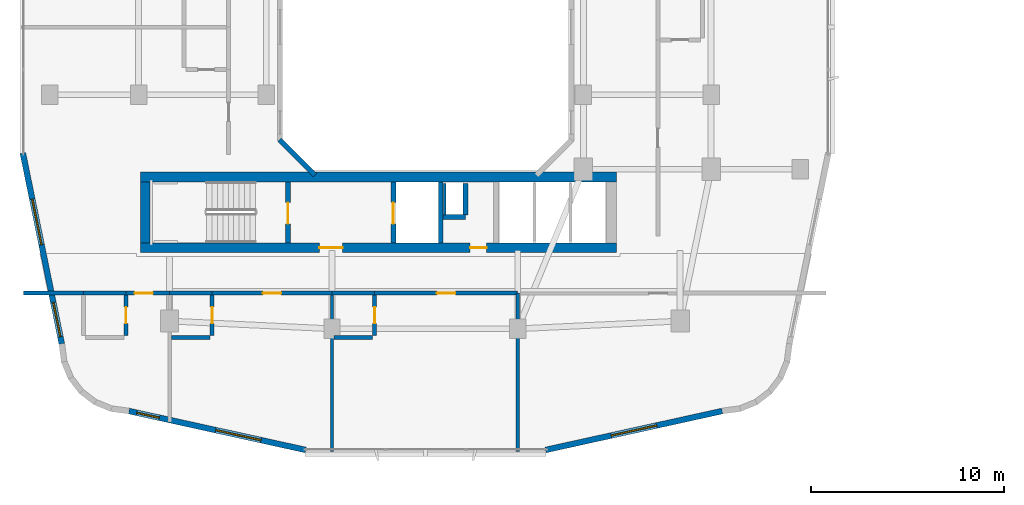
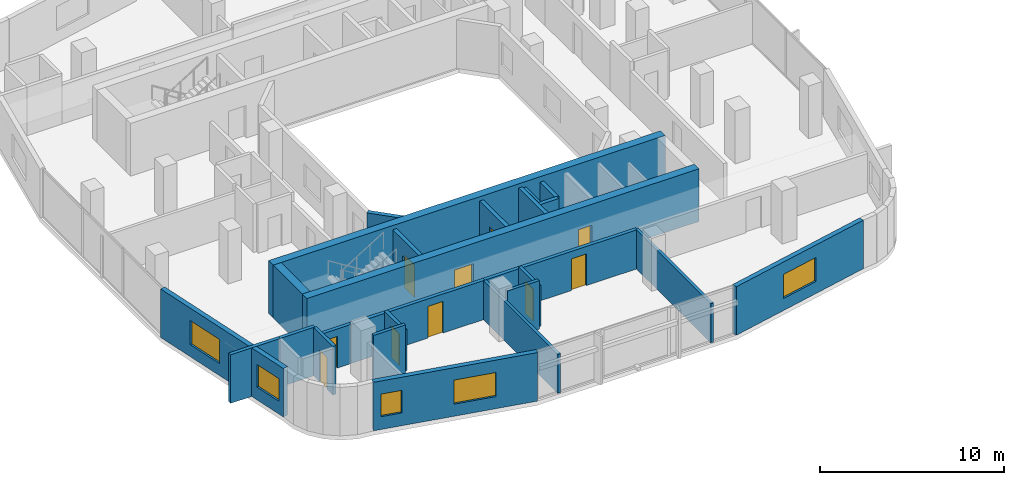
# One storey, part 12 of 25: 27 walls, 10 doors, 5 windows, 15 openings.
"""IFC4 building model written with IfcOpenShell, lengths in metres."""

from ifc_helpers import new_model, si_unit, derived_unit, direction, frame, frame_2d, origin, place, context, subcontext, project, spatial, rectangle, extrude, material, layer, layer_set, type_object, element, fill, save


model = new_model("IFC4")

# Units and contexts
model_context = context("Model", 3, precision=1e-05, world=origin(), true_north=direction((0.0, 1.0)))
body_context = subcontext(model_context, "Body", "Model", "MODEL_VIEW")
ifc_project = project(units=[si_unit("LENGTHUNIT", "METRE"), si_unit("AREAUNIT", "SQUARE_METRE"), si_unit("VOLUMEUNIT", "CUBIC_METRE"), si_unit("PLANEANGLEUNIT", "RADIAN"), si_unit("MASSUNIT", "GRAM", prefix="KILO"), derived_unit("THERMALTRANSMITTANCEUNIT", [(si_unit("POWERUNIT", "WATT"), 1), (si_unit("LENGTHUNIT", "METRE"), -2), (si_unit("THERMODYNAMICTEMPERATUREUNIT", "KELVIN"), -1)])], contexts=[model_context])

# Site, building, storey
site_placement = place(None, origin())
site = spatial("IfcSite", under=ifc_project, at=site_placement, CompositionType="ELEMENT")
building_placement = place(site_placement, origin())
building = spatial("IfcBuilding", under=site, at=building_placement, Name="Kivonza Crest Hotel", CompositionType="ELEMENT")
storey_placement = place(building_placement, frame((0.0, 0.0, 83.5)))
storey = spatial("IfcBuildingStorey", under=building, at=storey_placement, Name="L22", CompositionType="ELEMENT", Elevation=83.5)

# Walls
ifc_material_1 = material(Name="High-density acoustic masonry inter-tenancy wall", Category="masonry")
ifc_layer_1 = layer(ifc_material_1, 0.179931640625)
ifc_layer_set_1 = layer_set([ifc_layer_1], Name="High-density acoustic masonry inter-tenancy wall")
wall_type_1 = type_object("IfcWallType", Name="WL-ACOU-180", PredefinedType="SOLIDWALL", material=ifc_layer_set_1)
for number, where, z_axis, x_axis, name in (
    (1, (16.199951171875, 3.06005859375, 0.0), (0.0, 0.0, 1.0), (0.0, 1.0, 0.0), "L22 interior partition WA-L22-T1S-DIV2"),
    (2, (25.800048828125, 3.06005859375, 0.0), (0.0, 0.0, 1.0), (0.0, 1.0, 0.0), "L22 interior partition WA-L22-T1S-DIV3"),
):
    element("IfcWall", number, at=place(storey_placement, frame(where, z_axis=z_axis, x_axis=x_axis)), inside=storey, type_object=wall_type_1, Name=name, PredefinedType="SOLIDWALL", context=body_context, shape_type="SweptSolid", body=[
        extrude(rectangle(XDim=8.18994140625, YDim=0.179931640625, at=frame_2d((4.094970703125, 0.0))), origin(), (0.0, 0.0, 1.0), 2.594970703125),
    ])
ifc_material_2 = material(Name="Autoclaved aerated concrete blockwork", Category="masonry")
ifc_layer_2 = layer(ifc_material_2, 0.219970703125)
ifc_layer_set_2 = layer_set([ifc_layer_2], Name="Autoclaved aerated concrete blockwork")
wall_type_2 = type_object("IfcWallType", Name="WL-ACOU-220", PredefinedType="SOLIDWALL", material=ifc_layer_set_2)
wall_1_placement = place(storey_placement, frame((0.239990234375, 11.25, 0.0), z_axis=(0.0, 0.0, 1.0), x_axis=(1.0, 0.0, 0.0)))
element("IfcWall", 3, at=wall_1_placement, inside=storey, type_object=wall_type_2, Name="L22 interior partition WA-L22-S03-XCORR", PredefinedType="SOLIDWALL", context=body_context, shape_type="SweptSolid", body=[
    extrude(rectangle(XDim=3.110107421875, YDim=0.219970703125, at=frame_2d((1.55517578125, 0.0))), origin(), (0.0, 0.0, 1.0), 3.219970703125),
])
wall_2_placement = place(storey_placement, frame((3.35009765625, 11.25, 0.0), z_axis=(0.0, 0.0, 1.0), x_axis=(1.0, 0.0, 0.0)))
element("IfcWall", 4, at=wall_2_placement, inside=storey, type_object=wall_type_2, Name="L22 interior partition WA-L22-S03-BCORR", PredefinedType="SOLIDWALL", context=body_context, shape_type="SweptSolid", body=[
    extrude(rectangle(XDim=2.199951171875, YDim=0.219970703125, at=frame_2d((1.10009765625, 0.0))), origin(), (0.0, 0.0, 1.0), 3.219970703125),
])

# Wall, opening, door
wall_3_placement = place(storey_placement, frame((5.550048828125, 11.25, 0.0), z_axis=(0.0, 0.0, 1.0), x_axis=(1.0, 0.0, 0.0)))
wall_3 = element("IfcWall", 5, at=wall_3_placement, inside=storey, type_object=wall_type_2, Name="L22 interior partition WA-L22-S03-MCORR", PredefinedType="SOLIDWALL", context=body_context, shape_type="SweptSolid", body=[
    extrude(rectangle(XDim=2.25, YDim=0.219970703125, at=frame_2d((1.125, 0.0))), origin(), (0.0, 0.0, 1.0), 2.594970703125),
])
opening_1_placement = place(wall_3_placement, frame((0.43994140625, 0.0, 0.0)))
opening_1 = element("IfcOpeningElement", 6, at=opening_1_placement, cuts=wall_3, Name="Opening DU-60", PredefinedType="OPENING", context=body_context, shape_type="SweptSolid", body=[
    extrude(rectangle(XDim=0.949951171875, YDim=2.10009765625, at=frame_2d((0.47509765625, 1.050048828125))), frame((0.0, 0.1201171875, 0.0), z_axis=(0.0, -1.0, 0.0), x_axis=(1.0, 0.0, 0.0)), (0.0, 0.0, 1.0), 0.239990234375),
])
ifc_material_3 = material(Name="Hardwood timber oak", Category="wood")
door_type_1 = type_object("IfcDoorType", Name="DR-UNIT-950", OperationType="NOTDEFINED", PredefinedType="DOOR", material=ifc_material_3)
door_1_placement = place(opening_1_placement, frame((0.949951171875, 0.0, 0.0), z_axis=(0.0, 0.0, 1.0), x_axis=(-1.0, 0.0, 0.0)))
door_1 = element("IfcDoor", 7, at=door_1_placement, inside=storey, type_object=door_type_1, Name="L22 S03 guest unit entrance fire door", OperationType="SINGLE_SWING_LEFT", OverallHeight=2.10009765625, OverallWidth=0.949951171875, PredefinedType="DOOR", context=body_context, shape_type="SweptSolid", body=[
    extrude(rectangle(XDim=0.949951171875, YDim=2.10009765625, at=frame_2d((0.47509765625, 1.050048828125))), frame((0.0, 0.02490234375, 0.0), z_axis=(0.0, -1.0, 0.0), x_axis=(1.0, 0.0, 0.0)), (0.0, 0.0, 1.0), 0.050048828125),
])
fill(opening_1, door_1)

# Wall
wall_4_placement = place(storey_placement, frame((7.800048828125, 11.25, 0.0), z_axis=(0.0, 0.0, 1.0), x_axis=(1.0, 0.0, 0.0)))
element("IfcWall", 8, at=wall_4_placement, inside=storey, type_object=wall_type_2, Name="L22 interior partition WA-L22-S04-BCORR", PredefinedType="SOLIDWALL", context=body_context, shape_type="SweptSolid", body=[
    extrude(rectangle(XDim=2.199951171875, YDim=0.219970703125, at=frame_2d((1.10009765625, 0.0))), origin(), (0.0, 0.0, 1.0), 2.594970703125),
])

# Wall, opening, door
wall_5_placement = place(storey_placement, frame((10.0, 11.25, 0.0), z_axis=(0.0, 0.0, 1.0), x_axis=(1.0, 0.0, 0.0)))
wall_5 = element("IfcWall", 9, at=wall_5_placement, inside=storey, type_object=wall_type_2, Name="L22 interior partition WA-L22-S04-MCORR", PredefinedType="SOLIDWALL", context=body_context, shape_type="SweptSolid", body=[
    extrude(rectangle(XDim=6.199951171875, YDim=0.219970703125, at=frame_2d((3.10009765625, 0.0))), origin(), (0.0, 0.0, 1.0), 2.594970703125),
])
opening_2_placement = place(wall_5_placement, frame((2.625, 0.0, 0.0)))
opening_2 = element("IfcOpeningElement", 10, at=opening_2_placement, cuts=wall_5, Name="Opening DU-60", PredefinedType="OPENING", context=body_context, shape_type="SweptSolid", body=[
    extrude(rectangle(XDim=0.949951171875, YDim=2.10009765625, at=frame_2d((0.47509765625, 1.050048828125))), frame((0.0, 0.1201171875, 0.0), z_axis=(0.0, -1.0, 0.0), x_axis=(1.0, 0.0, 0.0)), (0.0, 0.0, 1.0), 0.239990234375),
])
door_2_placement = place(opening_2_placement, frame((0.949951171875, 0.0, 0.0), z_axis=(0.0, 0.0, 1.0), x_axis=(-1.0, 0.0, 0.0)))
door_2 = element("IfcDoor", 11, at=door_2_placement, inside=storey, type_object=door_type_1, Name="L22 S04 guest unit entrance fire door", OperationType="SINGLE_SWING_RIGHT", OverallHeight=2.10009765625, OverallWidth=0.949951171875, PredefinedType="DOOR", context=body_context, shape_type="SweptSolid", body=[
    extrude(rectangle(XDim=0.949951171875, YDim=2.10009765625, at=frame_2d((0.47509765625, 1.050048828125))), frame((0.0, 0.02490234375, 0.0), z_axis=(0.0, -1.0, 0.0), x_axis=(1.0, 0.0, 0.0)), (0.0, 0.0, 1.0), 0.050048828125),
])
fill(opening_2, door_2)

# Wall
wall_6_placement = place(storey_placement, frame((16.199951171875, 11.25, 0.0), z_axis=(0.0, 0.0, 1.0), x_axis=(1.0, 0.0, 0.0)))
element("IfcWall", 12, at=wall_6_placement, inside=storey, type_object=wall_type_2, Name="L22 interior partition WA-L22-S05-BCORR", PredefinedType="SOLIDWALL", context=body_context, shape_type="SweptSolid", body=[
    extrude(rectangle(XDim=2.199951171875, YDim=0.219970703125, at=frame_2d((1.10009765625, 0.0))), origin(), (0.0, 0.0, 1.0), 2.594970703125),
])

# Wall, opening, door
wall_7_placement = place(storey_placement, frame((18.39990234375, 11.25, 0.0), z_axis=(0.0, 0.0, 1.0), x_axis=(1.0, 0.0, 0.0)))
wall_7 = element("IfcWall", 13, at=wall_7_placement, inside=storey, type_object=wall_type_2, Name="L22 interior partition WA-L22-S05-MCORR", PredefinedType="SOLIDWALL", context=body_context, shape_type="SweptSolid", body=[
    extrude(rectangle(XDim=7.400146484375, YDim=0.219970703125, at=frame_2d((3.7001953125, 0.0))), origin(), (0.0, 0.0, 1.0), 2.594970703125),
])
opening_3_placement = place(wall_7_placement, frame((3.22509765625, 0.0, 0.0)))
opening_3 = element("IfcOpeningElement", 14, at=opening_3_placement, cuts=wall_7, Name="Opening DU-60", PredefinedType="OPENING", context=body_context, shape_type="SweptSolid", body=[
    extrude(rectangle(XDim=0.949951171875, YDim=2.10009765625, at=frame_2d((0.47509765625, 1.050048828125))), frame((0.0, 0.1201171875, 0.0), z_axis=(0.0, -1.0, 0.0), x_axis=(1.0, 0.0, 0.0)), (0.0, 0.0, 1.0), 0.239990234375),
])
door_3_placement = place(opening_3_placement, frame((0.949951171875, 0.0, 0.0), z_axis=(0.0, 0.0, 1.0), x_axis=(-1.0, 0.0, 0.0)))
door_3 = element("IfcDoor", 15, at=door_3_placement, inside=storey, type_object=door_type_1, Name="L22 S05 guest unit entrance fire door", OperationType="SINGLE_SWING_LEFT", OverallHeight=2.10009765625, OverallWidth=0.949951171875, PredefinedType="DOOR", context=body_context, shape_type="SweptSolid", body=[
    extrude(rectangle(XDim=0.949951171875, YDim=2.10009765625, at=frame_2d((0.47509765625, 1.050048828125))), frame((0.0, 0.02490234375, 0.0), z_axis=(0.0, -1.0, 0.0), x_axis=(1.0, 0.0, 0.0)), (0.0, 0.0, 1.0), 0.050048828125),
])
fill(opening_3, door_3)

# Wall, openings, doors
ifc_material_4 = material(Name="Concrete C60/75", Category="concrete")
ifc_layer_3 = layer(ifc_material_4, 0.5)
ifc_layer_set_3 = layer_set([ifc_layer_3], Name="Concrete C60/75")
wall_type_3 = type_object("IfcWallType", Name="WL-CORE-500", PredefinedType="SHEAR", material=ifc_layer_set_3)
wall_8_placement = place(storey_placement, frame((6.300048828125, 13.590087890625, 0.0), z_axis=(0.0, 0.0, 1.0), x_axis=(1.0, 0.0, 0.0)))
wall_8 = element("IfcWall", 16, at=wall_8_placement, inside=storey, type_object=wall_type_3, Name="Core wall T1-S South L22", PredefinedType="SHEAR", context=body_context, shape_type="SweptSolid", body=[
    extrude(rectangle(XDim=24.599853515625, YDim=0.5, at=frame_2d((12.2998046875, 0.0))), origin(), (0.0, 0.0, 1.0), 3.5),
])
opening_4_placement = place(wall_8_placement, frame((9.25, 0.0, 0.0)))
opening_4 = element("IfcOpeningElement", 17, at=opening_4_placement, cuts=wall_8, Name="Opening DF-60", PredefinedType="OPENING", context=body_context, shape_type="SweptSolid", body=[
    extrude(rectangle(XDim=1.199951171875, YDim=2.14990234375, at=frame_2d((0.60009765625, 1.074951171875))), frame((0.0, 0.260009765625, 0.0), z_axis=(0.0, -1.0, 0.0), x_axis=(1.0, 0.0, 0.0)), (0.0, 0.0, 1.0), 0.52001953125),
])
opening_5_placement = place(wall_8_placement, frame((17.0400390625, 0.0, 0.0)))
opening_5 = element("IfcOpeningElement", 18, at=opening_5_placement, cuts=wall_8, Name="Opening DF-60R", PredefinedType="OPENING", context=body_context, shape_type="SweptSolid", body=[
    extrude(rectangle(XDim=0.85009765625, YDim=2.10009765625, at=frame_2d((0.425048828125, 1.050048828125))), frame((0.0, 0.260009765625, 0.0), z_axis=(0.0, -1.0, 0.0), x_axis=(1.0, 0.0, 0.0)), (0.0, 0.0, 1.0), 0.52001953125),
])
door_type_2 = type_object("IfcDoorType", Name="DR-FD60-1200", OperationType="NOTDEFINED", PredefinedType="DOOR", material=ifc_material_3)
door_4_placement = place(opening_4_placement, frame((1.199951171875, 0.0, 0.0), z_axis=(0.0, 0.0, 1.0), x_axis=(-1.0, 0.0, 0.0)))
door_4 = element("IfcDoor", 19, at=door_4_placement, inside=storey, type_object=door_type_2, Name="L22 T1-S firefighting lobby fire door", OperationType="SINGLE_SWING_LEFT", OverallHeight=2.14990234375, OverallWidth=1.199951171875, PredefinedType="DOOR", context=body_context, shape_type="SweptSolid", body=[
    extrude(rectangle(XDim=1.199951171875, YDim=2.14990234375, at=frame_2d((0.60009765625, 1.074951171875))), frame((0.0, 0.02490234375, 0.0), z_axis=(0.0, -1.0, 0.0), x_axis=(1.0, 0.0, 0.0)), (0.0, 0.0, 1.0), 0.050048828125),
])
fill(opening_4, door_4)
door_type_3 = type_object("IfcDoorType", Name="DR-FD60-850", OperationType="NOTDEFINED", PredefinedType="DOOR", material=ifc_material_3)
door_5_placement = place(opening_5_placement, frame((0.85009765625, 0.0, 0.0), z_axis=(0.0, 0.0, 1.0), x_axis=(-1.0, 0.0, 0.0)))
door_5 = element("IfcDoor", 20, at=door_5_placement, inside=storey, type_object=door_type_3, Name="L22 T1-S core room door", OperationType="SINGLE_SWING_RIGHT", OverallHeight=2.10009765625, OverallWidth=0.85009765625, PredefinedType="DOOR", context=body_context, shape_type="SweptSolid", body=[
    extrude(rectangle(XDim=0.85009765625, YDim=2.10009765625, at=frame_2d((0.425048828125, 1.050048828125))), frame((0.0, 0.02490234375, 0.0), z_axis=(0.0, -1.0, 0.0), x_axis=(1.0, 0.0, 0.0)), (0.0, 0.0, 1.0), 0.050048828125),
])
fill(opening_5, door_5)

# Walls
wall_9_placement = place(storey_placement, frame((6.300048828125, 17.25, 0.0), z_axis=(0.0, 0.0, 1.0), x_axis=(1.0, 0.0, 0.0)))
element("IfcWall", 21, at=wall_9_placement, inside=storey, type_object=wall_type_3, Name="Core wall T1-S North L22", PredefinedType="SHEAR", context=body_context, shape_type="SweptSolid", body=[
    extrude(rectangle(XDim=24.599853515625, YDim=0.5, at=frame_2d((12.2998046875, 0.0))), origin(), (0.0, 0.0, 1.0), 3.5),
])
wall_10_placement = place(storey_placement, frame((6.550048828125, 13.840087890625, 0.0), z_axis=(0.0, 0.0, 1.0), x_axis=(0.0, 1.0, 0.0)))
element("IfcWall", 22, at=wall_10_placement, inside=storey, type_object=wall_type_3, Name="Core wall T1-S West L22", PredefinedType="SHEAR", context=body_context, shape_type="SweptSolid", body=[
    extrude(rectangle(XDim=3.159912109375, YDim=0.5, at=frame_2d((1.580078125, 0.0))), origin(), (0.0, 0.0, 1.0), 3.5),
])
ifc_material_5 = material(Name="Precast concrete C40/50", Category="concrete")
ifc_layer_4 = layer(ifc_material_5, 0.260009765625)
ifc_layer_set_4 = layer_set([ifc_layer_4], Name="Precast concrete C40/50")
wall_type_4 = type_object("IfcWallType", Name="WL-EXT-260", PredefinedType="STANDARD", material=ifc_layer_set_4)
wall_11_placement = place(storey_placement, frame((13.48388671875, 19.172119140625, 0.0), z_axis=(0.0, 0.0, 1.0), x_axis=(0.707106781187, -0.707106781187, 0.0)))
element("IfcWall", 23, at=wall_11_placement, inside=storey, type_object=wall_type_4, Name="L22 T1 light-well exterior wall 8", PredefinedType="STANDARD", context=body_context, shape_type="SweptSolid", body=[
    extrude(rectangle(XDim=2.593994140625, YDim=0.260009765625, at=frame_2d((1.296875, 0.0))), origin(), (0.0, 0.0, 1.0), 3.219970703125),
])

# Wall, openings, windows
ifc_layer_5 = layer(ifc_material_5, 0.300048828125)
ifc_layer_set_5 = layer_set([ifc_layer_5], Name="Precast concrete C40/50")
wall_type_5 = type_object("IfcWallType", Name="WL-EXT-300", PredefinedType="STANDARD", material=ifc_layer_set_5)
wall_12_placement = place(storey_placement, frame((5.7041015625, 5.14794921875, 0.0), z_axis=(0.0, 0.0, 1.0), x_axis=(0.9765437942, -0.215318875183, 0.0)))
wall_12 = element("IfcWall", 24, at=wall_12_placement, inside=storey, type_object=wall_type_5, Name="L22 T1 exterior insulated wall 7", PredefinedType="STANDARD", context=body_context, shape_type="SweptSolid", body=[
    extrude(rectangle(XDim=9.353271484375, YDim=0.300048828125, at=frame_2d((4.6767578125, 0.0))), origin(), (0.0, 0.0, 1.0), 3.219970703125),
])
opening_6_placement = place(wall_12_placement, frame((0.407958984375, 0.0, 0.85009765625)))
opening_6 = element("IfcOpeningElement", 25, at=opening_6_placement, cuts=wall_12, Name="Opening WN-01", PredefinedType="OPENING", context=body_context, shape_type="SweptSolid", body=[
    extrude(rectangle(XDim=1.199951171875, YDim=1.5, at=frame_2d((0.60009765625, 0.75))), frame((0.0, 0.16015625, 0.0), z_axis=(0.0, -1.0, 0.0), x_axis=(1.0, 0.0, 0.0)), (0.0, 0.0, 1.0), 0.320068359375),
])
opening_7_placement = place(wall_12_placement, frame((4.590087890625, 0.0, 0.800048828125)))
opening_7 = element("IfcOpeningElement", 26, at=opening_7_placement, cuts=wall_12, Name="Opening WN-05", PredefinedType="OPENING", context=body_context, shape_type="SweptSolid", body=[
    extrude(rectangle(XDim=2.39990234375, YDim=1.60009765625, at=frame_2d((1.199951171875, 0.800048828125))), frame((0.0, 0.16015625, 0.0), z_axis=(0.0, -1.0, 0.0), x_axis=(1.0, 0.0, 0.0)), (0.0, 0.0, 1.0), 0.320068359375),
])
ifc_material_6 = material(Name="Thermally broken bronze aluminium and low-E double glazing", Category="aluminium")
window_type_1 = type_object("IfcWindowType", Name="WN-120x150", PartitioningType="SINGLE_PANEL", PredefinedType="WINDOW", material=ifc_material_6)
window_1_placement = place(opening_6_placement, origin())
window_1 = element("IfcWindow", 27, at=window_1_placement, inside=storey, type_object=window_type_1, Name="L22 T1 facade window 7 bay 1", OverallHeight=1.5, OverallWidth=1.199951171875, PartitioningType="SINGLE_PANEL", PredefinedType="WINDOW", context=body_context, shape_type="SweptSolid", body=[
    extrude(rectangle(XDim=1.199951171875, YDim=1.5, at=frame_2d((0.60009765625, 0.75))), frame((0.0, 0.030029296875, 0.0), z_axis=(0.0, -1.0, 0.0), x_axis=(1.0, 0.0, 0.0)), (0.0, 0.0, 1.0), 0.06005859375),
])
fill(opening_6, window_1)
window_type_2 = type_object("IfcWindowType", Name="WN-240x160", PartitioningType="TRIPLE_PANEL_VERTICAL", PredefinedType="WINDOW", material=ifc_material_6)
window_2_placement = place(opening_7_placement, origin())
window_2 = element("IfcWindow", 28, at=window_2_placement, inside=storey, type_object=window_type_2, Name="L22 T1 facade window 7 bay 2", OverallHeight=1.60009765625, OverallWidth=2.39990234375, PartitioningType="SINGLE_PANEL", PredefinedType="WINDOW", context=body_context, shape_type="SweptSolid", body=[
    extrude(rectangle(XDim=2.39990234375, YDim=1.60009765625, at=frame_2d((1.199951171875, 0.800048828125))), frame((0.0, 0.030029296875, 0.0), z_axis=(0.0, -1.0, 0.0), x_axis=(1.0, 0.0, 0.0)), (0.0, 0.0, 1.0), 0.06005859375),
])
fill(opening_7, window_2)

# Wall, opening, window
wall_13_placement = place(storey_placement, frame((27.241943359375, 3.134033203125, 0.0), z_axis=(0.0, 0.0, 1.0), x_axis=(0.97654500432, 0.215313386808, 0.0)))
wall_13 = element("IfcWall", 29, at=wall_13_placement, inside=storey, type_object=wall_type_5, Name="L22 T1 exterior insulated wall 9", PredefinedType="STANDARD", context=body_context, shape_type="SweptSolid", body=[
    extrude(rectangle(XDim=9.353515625, YDim=0.300048828125, at=frame_2d((4.6767578125, 0.0))), origin(), (0.0, 0.0, 1.0), 3.219970703125),
])
opening_8_placement = place(wall_13_placement, frame((3.47705078125, 0.0, 0.800048828125)))
opening_8 = element("IfcOpeningElement", 30, at=opening_8_placement, cuts=wall_13, Name="Opening WN-05", PredefinedType="OPENING", context=body_context, shape_type="SweptSolid", body=[
    extrude(rectangle(XDim=2.39990234375, YDim=1.60009765625, at=frame_2d((1.199951171875, 0.800048828125))), frame((0.0, 0.16015625, 0.0), z_axis=(0.0, -1.0, 0.0), x_axis=(1.0, 0.0, 0.0)), (0.0, 0.0, 1.0), 0.320068359375),
])
window_3_placement = place(opening_8_placement, origin())
window_3 = element("IfcWindow", 31, at=window_3_placement, inside=storey, type_object=window_type_2, Name="L22 T1 facade window 9", OverallHeight=1.60009765625, OverallWidth=2.39990234375, PartitioningType="SINGLE_PANEL", PredefinedType="WINDOW", context=body_context, shape_type="SweptSolid", body=[
    extrude(rectangle(XDim=2.39990234375, YDim=1.60009765625, at=frame_2d((1.199951171875, 0.800048828125))), frame((0.0, 0.030029296875, 0.0), z_axis=(0.0, -1.0, 0.0), x_axis=(1.0, 0.0, 0.0)), (0.0, 0.0, 1.0), 0.06005859375),
])
fill(opening_8, window_3)

# Wall, openings, windows
wall_14_placement = place(storey_placement, frame((0.216064453125, 18.48388671875, 0.0), z_axis=(0.0, 0.0, 1.0), x_axis=(0.199990901713, -0.979797754249, 0.0)))
wall_14 = element("IfcWall", 32, at=wall_14_placement, inside=storey, type_object=wall_type_5, Name="L22 T1 exterior insulated wall 36", PredefinedType="STANDARD", context=body_context, shape_type="SweptSolid", body=[
    extrude(rectangle(XDim=10.065185546875, YDim=0.300048828125, at=frame_2d((5.03271484375, 0.0))), origin(), (0.0, 0.0, 1.0), 3.219970703125),
])
opening_9_placement = place(wall_14_placement, frame((2.428955078125, 0.0, 0.800048828125)))
opening_9 = element("IfcOpeningElement", 33, at=opening_9_placement, cuts=wall_14, Name="Opening WN-05", PredefinedType="OPENING", context=body_context, shape_type="SweptSolid", body=[
    extrude(rectangle(XDim=2.39990234375, YDim=1.60009765625, at=frame_2d((1.199951171875, 0.800048828125))), frame((0.0, 0.16015625, 0.0), z_axis=(0.0, -1.0, 0.0), x_axis=(1.0, 0.0, 0.0)), (0.0, 0.0, 1.0), 0.320068359375),
])
opening_10_placement = place(wall_14_placement, frame((7.886962890625, 0.0, 0.85009765625)))
opening_10 = element("IfcOpeningElement", 34, at=opening_10_placement, cuts=wall_14, Name="Opening WN-03", PredefinedType="OPENING", context=body_context, shape_type="SweptSolid", body=[
    extrude(rectangle(XDim=1.800048828125, YDim=1.5, at=frame_2d((0.89990234375, 0.75))), frame((0.0, 0.16015625, 0.0), z_axis=(0.0, -1.0, 0.0), x_axis=(1.0, 0.0, 0.0)), (0.0, 0.0, 1.0), 0.320068359375),
])
window_type_3 = type_object("IfcWindowType", Name="WN-180x150", PartitioningType="DOUBLE_PANEL_VERTICAL", PredefinedType="WINDOW", material=ifc_material_6)
window_4_placement = place(opening_10_placement, origin())
window_4 = element("IfcWindow", 35, at=window_4_placement, inside=storey, type_object=window_type_3, Name="L22 T1 facade window 36 bay 2", OverallHeight=1.5, OverallWidth=1.800048828125, PartitioningType="SINGLE_PANEL", PredefinedType="WINDOW", context=body_context, shape_type="SweptSolid", body=[
    extrude(rectangle(XDim=1.800048828125, YDim=1.5, at=frame_2d((0.89990234375, 0.75))), frame((0.0, 0.030029296875, 0.0), z_axis=(0.0, -1.0, 0.0), x_axis=(1.0, 0.0, 0.0)), (0.0, 0.0, 1.0), 0.06005859375),
])
fill(opening_10, window_4)
window_5_placement = place(opening_9_placement, origin())
window_5 = element("IfcWindow", 36, at=window_5_placement, inside=storey, type_object=window_type_2, Name="L22 T1 facade window 36 bay 1", OverallHeight=1.60009765625, OverallWidth=2.39990234375, PartitioningType="SINGLE_PANEL", PredefinedType="WINDOW", context=body_context, shape_type="SweptSolid", body=[
    extrude(rectangle(XDim=2.39990234375, YDim=1.60009765625, at=frame_2d((1.199951171875, 0.800048828125))), frame((0.0, 0.030029296875, 0.0), z_axis=(0.0, -1.0, 0.0), x_axis=(1.0, 0.0, 0.0)), (0.0, 0.0, 1.0), 0.06005859375),
])
fill(opening_9, window_5)

# Walls
ifc_material_7 = material(Name="Concrete blockwork fire-compartment wall", Category="masonry")
ifc_layer_6 = layer(ifc_material_7, 0.25)
ifc_layer_set_6 = layer_set([ifc_layer_6], Name="Concrete blockwork fire-compartment wall")
wall_type_6 = type_object("IfcWallType", Name="WL-FIRE-250", PredefinedType="SOLIDWALL", material=ifc_layer_set_6)
wall_15_placement = place(storey_placement, frame((23.10009765625, 15.280029296875, 0.0), z_axis=(0.0, 0.0, 1.0), x_axis=(0.0, 1.0, 0.0)))
element("IfcWall", 37, at=wall_15_placement, inside=storey, type_object=wall_type_6, Name="L22 interior partition WA-L22-T1-S-MEPR-E", PredefinedType="SOLIDWALL", context=body_context, shape_type="SweptSolid", body=[
    extrude(rectangle(XDim=1.619873046875, YDim=0.25, at=frame_2d((0.81005859375, 0.0))), origin(), (0.0, 0.0, 1.0), 3.219970703125),
])
wall_16_placement = place(storey_placement, frame((21.949951171875, 15.179931640625, 0.0), z_axis=(0.0, 0.0, 1.0), x_axis=(1.0, 0.0, 0.0)))
element("IfcWall", 38, at=wall_16_placement, inside=storey, type_object=wall_type_6, Name="L22 interior partition WA-L22-T1-S-MEPR-H", PredefinedType="SOLIDWALL", context=body_context, shape_type="SweptSolid", body=[
    extrude(rectangle(XDim=1.150146484375, YDim=0.25, at=frame_2d((0.5751953125, 0.0))), origin(), (0.0, 0.0, 1.0), 3.219970703125),
])
ifc_material_8 = material(Name="Twin-stud acoustic gypsum board partition", Category="gypsum")
ifc_layer_7 = layer(ifc_material_8, 0.14990234375)
ifc_layer_set_7 = layer_set([ifc_layer_7], Name="Twin-stud acoustic gypsum board partition")
wall_type_7 = type_object("IfcWallType", Name="WL-PART-150", PredefinedType="PARTITIONING", material=ifc_layer_set_7)
wall_17_placement = place(storey_placement, frame((22.030029296875, 15.280029296875, 0.0), z_axis=(0.0, 0.0, 1.0), x_axis=(0.0, 1.0, 0.0)))
element("IfcWall", 39, at=wall_17_placement, inside=storey, type_object=wall_type_7, Name="L22 interior partition WA-L22-T1-S-MEPR-W", PredefinedType="PARTITIONING", context=body_context, shape_type="SweptSolid", body=[
    extrude(rectangle(XDim=1.619873046875, YDim=0.14990234375, at=frame_2d((0.81005859375, 0.0))), origin(), (0.0, 0.0, 1.0), 3.219970703125),
])

# Wall, opening, door
ifc_material_9 = material(Name="Moisture-resistant plumbing chase partition wall", Category="gypsum")
ifc_layer_8 = layer(ifc_material_9, 0.199951171875)
ifc_layer_set_8 = layer_set([ifc_layer_8], Name="Moisture-resistant plumbing chase partition wall")
wall_type_8 = type_object("IfcWallType", Name="WL-PLUMB-200", PredefinedType="PLUMBINGWALL", material=ifc_layer_set_8)
wall_18_placement = place(storey_placement, frame((5.550048828125, 9.050048828125, 0.0), z_axis=(0.0, 0.0, 1.0), x_axis=(0.0, 1.0, 0.0)))
wall_18 = element("IfcWall", 40, at=wall_18_placement, inside=storey, type_object=wall_type_8, Name="L22 interior partition WW-L22-S03-BV", PredefinedType="PLUMBINGWALL", context=body_context, shape_type="SweptSolid", body=[
    extrude(rectangle(XDim=2.099853515625, YDim=0.199951171875, at=frame_2d((1.0498046875, 0.0))), origin(), (0.0, 0.0, 1.0), 3.219970703125),
])
opening_11_placement = place(wall_18_placement, frame((0.625, 0.0, 0.0)))
opening_11 = element("IfcOpeningElement", 41, at=opening_11_placement, cuts=wall_18, Name="Opening DI-85", PredefinedType="OPENING", context=body_context, shape_type="SweptSolid", body=[
    extrude(rectangle(XDim=0.85009765625, YDim=2.10009765625, at=frame_2d((0.425048828125, 1.050048828125))), frame((0.0, 0.10986328125, 0.0), z_axis=(0.0, -1.0, 0.0), x_axis=(1.0, 0.0, 0.0)), (0.0, 0.0, 1.0), 0.219970703125),
])
door_type_4 = type_object("IfcDoorType", Name="DR-INT-850", OperationType="NOTDEFINED", PredefinedType="DOOR", material=ifc_material_3)
door_6_placement = place(opening_11_placement, frame((0.85009765625, 0.0, 0.0), z_axis=(0.0, 0.0, 1.0), x_axis=(-1.0, 0.0, 0.0)))
door_6 = element("IfcDoor", 42, at=door_6_placement, inside=storey, type_object=door_type_4, Name="L22 S03 en-suite bathroom door", OperationType="SINGLE_SWING_RIGHT", OverallHeight=2.10009765625, OverallWidth=0.85009765625, PredefinedType="DOOR", context=body_context, shape_type="SweptSolid", body=[
    extrude(rectangle(XDim=0.85009765625, YDim=2.10009765625, at=frame_2d((0.425048828125, 1.050048828125))), frame((0.0, 0.02490234375, 0.0), z_axis=(0.0, -1.0, 0.0), x_axis=(1.0, 0.0, 0.0)), (0.0, 0.0, 1.0), 0.050048828125),
])
fill(opening_11, door_6)

wall_19_placement = place(storey_placement, frame((10.0, 9.050048828125, 0.0), z_axis=(0.0, 0.0, 1.0), x_axis=(0.0, 1.0, 0.0)))
wall_19 = element("IfcWall", 43, at=wall_19_placement, inside=storey, type_object=wall_type_8, Name="L22 interior partition WW-L22-S04-BV", PredefinedType="PLUMBINGWALL", context=body_context, shape_type="SweptSolid", body=[
    extrude(rectangle(XDim=2.099853515625, YDim=0.199951171875, at=frame_2d((1.0498046875, 0.0))), origin(), (0.0, 0.0, 1.0), 2.7451171875),
])
opening_12_placement = place(wall_19_placement, frame((0.625, 0.0, 0.0)))
opening_12 = element("IfcOpeningElement", 44, at=opening_12_placement, cuts=wall_19, Name="Opening DI-85", PredefinedType="OPENING", context=body_context, shape_type="SweptSolid", body=[
    extrude(rectangle(XDim=0.85009765625, YDim=2.10009765625, at=frame_2d((0.425048828125, 1.050048828125))), frame((0.0, 0.10986328125, 0.0), z_axis=(0.0, -1.0, 0.0), x_axis=(1.0, 0.0, 0.0)), (0.0, 0.0, 1.0), 0.219970703125),
])
door_7_placement = place(opening_12_placement, frame((0.85009765625, 0.0, 0.0), z_axis=(0.0, 0.0, 1.0), x_axis=(-1.0, 0.0, 0.0)))
door_7 = element("IfcDoor", 45, at=door_7_placement, inside=storey, type_object=door_type_4, Name="L22 S04 en-suite bathroom door", OperationType="SINGLE_SWING_LEFT", OverallHeight=2.10009765625, OverallWidth=0.85009765625, PredefinedType="DOOR", context=body_context, shape_type="SweptSolid", body=[
    extrude(rectangle(XDim=0.85009765625, YDim=2.10009765625, at=frame_2d((0.425048828125, 1.050048828125))), frame((0.0, 0.02490234375, 0.0), z_axis=(0.0, -1.0, 0.0), x_axis=(1.0, 0.0, 0.0)), (0.0, 0.0, 1.0), 0.050048828125),
])
fill(opening_12, door_7)

# Wall
wall_20_placement = place(storey_placement, frame((7.89990234375, 8.949951171875, 0.0), z_axis=(0.0, 0.0, 1.0), x_axis=(1.0, 0.0, 0.0)))
element("IfcWall", 46, at=wall_20_placement, inside=storey, type_object=wall_type_8, Name="L22 interior partition WW-L22-S04-BH", PredefinedType="PLUMBINGWALL", context=body_context, shape_type="SweptSolid", body=[
    extrude(rectangle(XDim=2.0, YDim=0.199951171875, at=frame_2d((1.0, 0.0))), origin(), (0.0, 0.0, 1.0), 3.219970703125),
])

# Wall, opening, door
wall_21_placement = place(storey_placement, frame((18.39990234375, 9.050048828125, 0.0), z_axis=(0.0, 0.0, 1.0), x_axis=(0.0, 1.0, 0.0)))
wall_21 = element("IfcWall", 47, at=wall_21_placement, inside=storey, type_object=wall_type_8, Name="L22 interior partition WW-L22-S05-BV", PredefinedType="PLUMBINGWALL", context=body_context, shape_type="SweptSolid", body=[
    extrude(rectangle(XDim=2.099853515625, YDim=0.199951171875, at=frame_2d((1.0498046875, 0.0))), origin(), (0.0, 0.0, 1.0), 2.7451171875),
])
opening_13_placement = place(wall_21_placement, frame((0.625, 0.0, 0.0)))
opening_13 = element("IfcOpeningElement", 48, at=opening_13_placement, cuts=wall_21, Name="Opening DI-85", PredefinedType="OPENING", context=body_context, shape_type="SweptSolid", body=[
    extrude(rectangle(XDim=0.85009765625, YDim=2.10009765625, at=frame_2d((0.425048828125, 1.050048828125))), frame((0.0, 0.10986328125, 0.0), z_axis=(0.0, -1.0, 0.0), x_axis=(1.0, 0.0, 0.0)), (0.0, 0.0, 1.0), 0.219970703125),
])
door_8_placement = place(opening_13_placement, frame((0.85009765625, 0.0, 0.0), z_axis=(0.0, 0.0, 1.0), x_axis=(-1.0, 0.0, 0.0)))
door_8 = element("IfcDoor", 49, at=door_8_placement, inside=storey, type_object=door_type_4, Name="L22 S05 en-suite bathroom door", OperationType="SINGLE_SWING_RIGHT", OverallHeight=2.10009765625, OverallWidth=0.85009765625, PredefinedType="DOOR", context=body_context, shape_type="SweptSolid", body=[
    extrude(rectangle(XDim=0.85009765625, YDim=2.10009765625, at=frame_2d((0.425048828125, 1.050048828125))), frame((0.0, 0.02490234375, 0.0), z_axis=(0.0, -1.0, 0.0), x_axis=(1.0, 0.0, 0.0)), (0.0, 0.0, 1.0), 0.050048828125),
])
fill(opening_13, door_8)

# Wall
wall_22_placement = place(storey_placement, frame((16.300048828125, 8.949951171875, 0.0), z_axis=(0.0, 0.0, 1.0), x_axis=(1.0, 0.0, 0.0)))
element("IfcWall", 50, at=wall_22_placement, inside=storey, type_object=wall_type_8, Name="L22 interior partition WW-L22-S05-BH", PredefinedType="PLUMBINGWALL", context=body_context, shape_type="SweptSolid", body=[
    extrude(rectangle(XDim=2.0, YDim=0.199951171875, at=frame_2d((1.0, 0.0))), origin(), (0.0, 0.0, 1.0), 3.219970703125),
])

# Wall, opening, door
ifc_material_10 = material(Name="Concrete C50/60", Category="concrete")
ifc_layer_9 = layer(ifc_material_10, 0.25)
ifc_layer_set_9 = layer_set([ifc_layer_9], Name="Concrete C50/60")
wall_type_9 = type_object("IfcWallType", Name="WL-SHAFT-250", PredefinedType="STANDARD", material=ifc_layer_set_9)
wall_23_placement = place(storey_placement, frame((13.925048828125, 13.840087890625, 0.0), z_axis=(0.0, 0.0, 1.0), x_axis=(0.0, 1.0, 0.0)))
wall_23 = element("IfcWall", 51, at=wall_23_placement, inside=storey, type_object=wall_type_9, Name="Core shaft wall T1-S STAIR L22", PredefinedType="STANDARD", context=body_context, shape_type="SweptSolid", body=[
    extrude(rectangle(XDim=3.159912109375, YDim=0.25, at=frame_2d((1.580078125, 0.0))), origin(), (0.0, 0.0, 1.0), 3.219970703125),
])
opening_14_placement = place(wall_23_placement, frame((0.97998046875, 0.0, 0.0)))
opening_14 = element("IfcOpeningElement", 52, at=opening_14_placement, cuts=wall_23, Name="Opening DF-120", PredefinedType="OPENING", context=body_context, shape_type="SweptSolid", body=[
    extrude(rectangle(XDim=1.10009765625, YDim=2.14990234375, at=frame_2d((0.550048828125, 1.074951171875))), frame((0.0, 0.135009765625, 0.0), z_axis=(0.0, -1.0, 0.0), x_axis=(1.0, 0.0, 0.0)), (0.0, 0.0, 1.0), 0.27001953125),
])
ifc_material_11 = material(Name="Galvanised steel", Category="steel")
door_type_5 = type_object("IfcDoorType", Name="DR-FD120-1100", OperationType="NOTDEFINED", PredefinedType="DOOR", material=ifc_material_11)
door_9_placement = place(opening_14_placement, frame((1.10009765625, 0.0, 0.0), z_axis=(0.0, 0.0, 1.0), x_axis=(-1.0, 0.0, 0.0)))
door_9 = element("IfcDoor", 53, at=door_9_placement, inside=storey, type_object=door_type_5, Name="L22 T1-S stair fire door", OperationType="SINGLE_SWING_RIGHT", OverallHeight=2.14990234375, OverallWidth=1.10009765625, PredefinedType="DOOR", context=body_context, shape_type="SweptSolid", body=[
    extrude(rectangle(XDim=1.10009765625, YDim=2.14990234375, at=frame_2d((0.550048828125, 1.074951171875))), frame((0.0, 0.02490234375, 0.0), z_axis=(0.0, -1.0, 0.0), x_axis=(1.0, 0.0, 0.0)), (0.0, 0.0, 1.0), 0.050048828125),
])
fill(opening_14, door_9)

wall_24_placement = place(storey_placement, frame((19.375, 13.840087890625, 0.0), z_axis=(0.0, 0.0, 1.0), x_axis=(0.0, 1.0, 0.0)))
wall_24 = element("IfcWall", 54, at=wall_24_placement, inside=storey, type_object=wall_type_9, Name="Core shaft wall T1-S FFL-W L22", PredefinedType="STANDARD", context=body_context, shape_type="SweptSolid", body=[
    extrude(rectangle(XDim=3.159912109375, YDim=0.25, at=frame_2d((1.580078125, 0.0))), origin(), (0.0, 0.0, 1.0), 3.219970703125),
])
opening_15_placement = place(wall_24_placement, frame((0.97998046875, 0.0, 0.0)))
opening_15 = element("IfcOpeningElement", 55, at=opening_15_placement, cuts=wall_24, Name="Opening LD-120", PredefinedType="OPENING", context=body_context, shape_type="SweptSolid", body=[
    extrude(rectangle(XDim=1.10009765625, YDim=2.14990234375, at=frame_2d((0.550048828125, 1.074951171875))), frame((0.0, 0.135009765625, 0.0), z_axis=(0.0, -1.0, 0.0), x_axis=(1.0, 0.0, 0.0)), (0.0, 0.0, 1.0), 0.27001953125),
])
ifc_material_12 = material(Name="Stainless steel", Category="steel")
door_type_6 = type_object("IfcDoorType", Name="DR-LD120-1100", OperationType="NOTDEFINED", PredefinedType="DOOR", material=ifc_material_12)
door_10_placement = place(opening_15_placement, origin())
door_10 = element("IfcDoor", 56, at=door_10_placement, inside=storey, type_object=door_type_6, Name="L22 FFL-T1-S firefighting lift sliding landing door", OperationType="DOUBLE_DOOR_SLIDING", OverallHeight=2.14990234375, OverallWidth=1.10009765625, PredefinedType="DOOR", context=body_context, shape_type="SweptSolid", body=[
    extrude(rectangle(XDim=1.10009765625, YDim=2.14990234375, at=frame_2d((0.550048828125, 1.074951171875))), frame((0.0, 0.02490234375, 0.0), z_axis=(0.0, -1.0, 0.0), x_axis=(1.0, 0.0, 0.0)), (0.0, 0.0, 1.0), 0.050048828125),
])
fill(opening_15, door_10)

# Wall
wall_25_placement = place(storey_placement, frame((21.824951171875, 13.840087890625, 0.0), z_axis=(0.0, 0.0, 1.0), x_axis=(0.0, 1.0, 0.0)))
element("IfcWall", 57, at=wall_25_placement, inside=storey, type_object=wall_type_9, Name="Core shaft wall T1-S FFL-E L22", PredefinedType="STANDARD", context=body_context, shape_type="SweptSolid", body=[
    extrude(rectangle(XDim=3.159912109375, YDim=0.25, at=frame_2d((1.580078125, 0.0))), origin(), (0.0, 0.0, 1.0), 3.219970703125),
])

save(model, "model.ifc")
